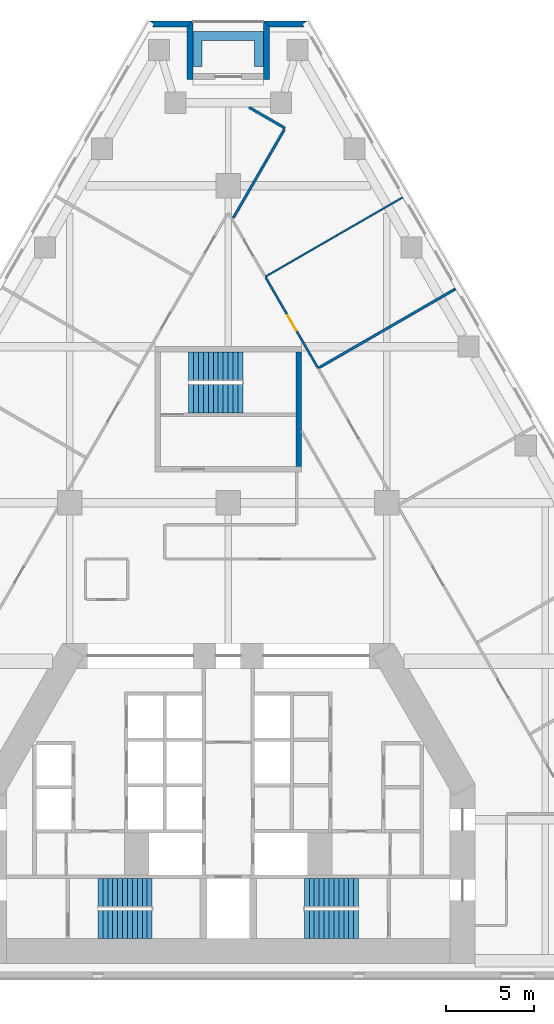
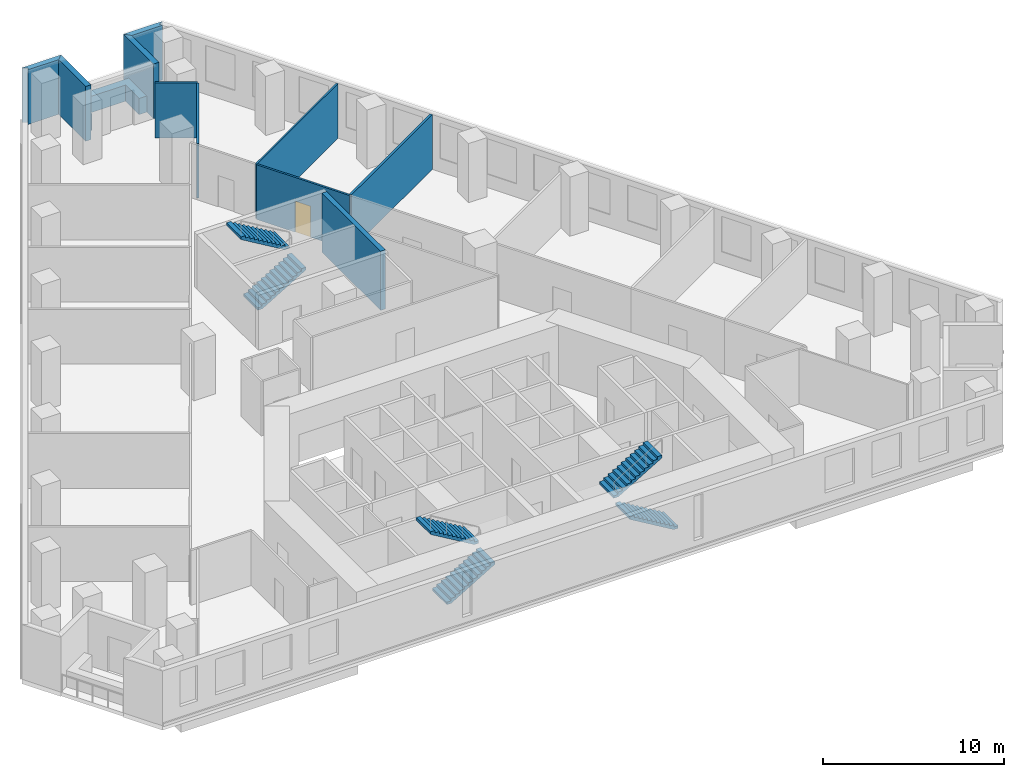
# One storey, part 8 of 9: 11 walls, 6 stair flights, 1 door, 1 opening, 3 elements without a shape of their own.
"""IFC4 building model written with IfcOpenShell, lengths in metres."""

from ifc_helpers import new_model, si_unit, direction, frame, frame_2d, origin, place, context, subcontext, project, spatial, polyline, rectangle, outline, extrude, material, layer, layer_set, type_object, element, fill, aggregate, save


model = new_model("IFC4")

# Units and contexts
model_context = context("Model", 3, precision=1e-05, world=origin(), true_north=direction((0.0, 1.0)))
body_context = subcontext(model_context, "Body", "Model", "MODEL_VIEW")
ifc_project = project(units=[si_unit("LENGTHUNIT", "METRE"), si_unit("AREAUNIT", "SQUARE_METRE"), si_unit("VOLUMEUNIT", "CUBIC_METRE"), si_unit("PLANEANGLEUNIT", "RADIAN"), si_unit("MASSUNIT", "GRAM", prefix="KILO")], contexts=[model_context])

# Site, building, storey
site_placement = place(None, origin())
site = spatial("IfcSite", under=ifc_project, at=site_placement, CompositionType="ELEMENT")
building_placement = place(site_placement, origin())
building = spatial("IfcBuilding", under=site, at=building_placement, Name="Fogline Exchange Tower", CompositionType="ELEMENT")
storey_placement = place(building_placement, frame((0.0, 0.0, 72.89990234375)))
storey = spatial("IfcBuildingStorey", under=building, at=storey_placement, Name="L15", CompositionType="ELEMENT", Elevation=72.89990234375)

# Walls
ifc_material_1 = material(Name="Concrete C40", Category="concrete")
ifc_layer_1 = layer(ifc_material_1, 0.300048828125)
ifc_layer_set_1 = layer_set([ifc_layer_1], Name="CW30")
wall_type_1 = type_object("IfcWallType", Name="CW30", PredefinedType="SOLIDWALL", material=ifc_layer_set_1)
wall_1_placement = place(storey_placement, frame((4.0, 29.056884765625, -0.2998046875), z_axis=(0.0, 0.0, 1.0), x_axis=(0.0, 1.0, 0.0)))
element("IfcWall", 1, at=wall_1_placement, inside=storey, type_object=wall_type_1, Name="Stair enclosure wall ST3", PredefinedType="SOLIDWALL", context=body_context, shape_type="SweptSolid", body=[
    extrude(rectangle(XDim=6.5, YDim=0.300048828125, at=frame_2d((3.25, 0.0))), origin(), (0.0, 0.0, 1.0), 4.0),
])
ifc_material_2 = material(Name="Brick masonry", Category="masonry")
ifc_layer_2 = layer(ifc_material_2, 0.340087890625)
ifc_layer_set_2 = layer_set([ifc_layer_2], Name="FW1")
wall_type_2 = type_object("IfcWallType", Name="FW1", PredefinedType="SOLIDWALL", material=ifc_layer_set_2)
wall_2_placement = place(storey_placement, origin())
element("IfcWall", 2, at=wall_2_placement, inside=storey, type_object=wall_type_2, Name="Brick wall L15 N-c1", PredefinedType="SOLIDWALL", context=body_context, shape_type="SweptSolid", body=[
    extrude(outline(polyline([(1.9990234375, 54.357177734375), (4.5009765625, 54.357177734375), (4.501220703125, 54.356689453125), (4.206298828125, 54.1865234375), (4.3046875, 54.01611328125), (2.33984375, 54.01611328125), (1.998779296875, 54.35693359375), (1.9990234375, 54.357177734375)])), origin(), (0.0, 0.0, 1.0), 3.7001953125),
])
wall_3_placement = place(storey_placement, origin())
element("IfcWall", 3, at=wall_3_placement, inside=storey, type_object=wall_type_2, Name="Brick wall L15 N-s1", PredefinedType="SOLIDWALL", context=body_context, shape_type="SweptSolid", body=[
    extrude(outline(polyline([(2.340576171875, 51.01611328125), (1.99951171875, 51.01611328125), (1.99951171875, 54.357666015625), (1.999755859375, 54.35791015625), (2.340576171875, 54.016845703125), (2.340576171875, 51.01611328125)])), origin(), (0.0, 0.0, 1.0), 3.7001953125),
])
wall_4_placement = place(storey_placement, origin())
element("IfcWall", 4, at=wall_4_placement, inside=storey, type_object=wall_type_2, Name="Brick wall L15 N-s2", PredefinedType="SOLIDWALL", context=body_context, shape_type="SweptSolid", body=[
    extrude(outline(polyline([(-1.99951171875, 54.357666015625), (-1.99951171875, 51.01611328125), (-2.340576171875, 51.01611328125), (-2.340576171875, 54.016845703125), (-1.999755859375, 54.35791015625), (-1.99951171875, 54.357666015625)])), origin(), (0.0, 0.0, 1.0), 3.7001953125),
])
wall_5_placement = place(storey_placement, origin())
element("IfcWall", 5, at=wall_5_placement, inside=storey, type_object=wall_type_2, Name="Brick wall L15 N-c2", PredefinedType="SOLIDWALL", context=body_context, shape_type="SweptSolid", body=[
    extrude(outline(polyline([(-4.3046875, 54.01611328125), (-4.206298828125, 54.1865234375), (-4.501220703125, 54.356689453125), (-4.5009765625, 54.357177734375), (-1.9990234375, 54.357177734375), (-1.998779296875, 54.35693359375), (-2.33984375, 54.01611328125), (-4.3046875, 54.01611328125)])), origin(), (0.0, 0.0, 1.0), 3.7001953125),
])
ifc_material_3 = material(Name="Concrete C30", Category="concrete")
ifc_layer_3 = layer(ifc_material_3, 0.199951171875)
ifc_layer_set_3 = layer_set([ifc_layer_3], Name="PL1")
wall_type_3 = type_object("IfcWallType", Name="PL1", PredefinedType="USERDEFINED", material=ifc_layer_set_3)
wall_6_placement = place(storey_placement, origin())
element("IfcWall", 6, at=wall_6_placement, inside=storey, type_object=wall_type_3, Name="PLANTER balcony L15 N", ObjectType="PLANTER", PredefinedType="USERDEFINED", context=body_context, shape_type="SweptSolid", body=[
    extrude(outline(polyline([(-1.5, 53.756591796875), (-2.0, 53.756591796875), (-2.0, 53.256591796875), (-2.0, 51.756591796875), (-1.5, 51.756591796875), (-1.5, 53.256591796875), (1.5, 53.256591796875), (1.5, 51.756591796875), (2.0, 51.756591796875), (2.0, 53.256591796875), (2.0, 53.756591796875), (1.5, 53.756591796875), (-1.5, 53.756591796875)])), origin(), (0.0, 0.0, 1.0), 1.10009765625),
])
ifc_material_4 = material(Name="Plasterboard partition, 2 layers each side on steel studs", Category="steel")
ifc_layer_4 = layer(ifc_material_4, 0.10009765625)
ifc_layer_set_4 = layer_set([ifc_layer_4], Name="PW1")
wall_type_4 = type_object("IfcWallType", Name="PW1", PredefinedType="PARTITIONING", material=ifc_layer_set_4)
wall_7_placement = place(storey_placement, frame((2.102294921875, 39.829833984375, 0.0), z_axis=(0.0, 0.0, 1.0), x_axis=(0.866024315419, 0.5000018851, 0.0)))
element("IfcWall", 7, at=wall_7_placement, inside=storey, type_object=wall_type_4, Name="wall-L15-W037", PredefinedType="PARTITIONING", context=body_context, shape_type="SweptSolid", body=[
    extrude(rectangle(XDim=9.0, YDim=0.10009765625, at=frame_2d((4.5, 0.0))), origin(), (0.0, 0.0, 1.0), 3.7001953125),
])

# Wall, opening, door
ifc_material_5 = material(Name="Plasterboard corridor partition with mineral wool, 2 layers each side")
ifc_layer_5 = layer(ifc_material_5, 0.125)
ifc_layer_set_5 = layer_set([ifc_layer_5], Name="PW2")
wall_type_5 = type_object("IfcWallType", Name="PW2", PredefinedType="PARTITIONING", material=ifc_layer_set_5)
wall_8_placement = place(storey_placement, frame((2.12744140625, 39.7861328125, 0.0), z_axis=(0.0, 0.0, 1.0), x_axis=(0.500000694566, -0.866025002776, 0.0)))
wall_8 = element("IfcWall", 8, at=wall_8_placement, inside=storey, type_object=wall_type_5, Name="wall-L15-W012", PredefinedType="PARTITIONING", context=body_context, shape_type="SweptSolid", body=[
    extrude(rectangle(XDim=5.94970703125, YDim=0.125, at=frame_2d((2.974853515625, 0.0))), origin(), (0.0, 0.0, 1.0), 3.7001953125),
])
opening_placement = place(wall_8_placement, frame((2.474853515625, 0.0, 0.0)))
opening = element("IfcOpeningElement", 9, at=opening_placement, cuts=wall_8, Name="Opening T04-D007", PredefinedType="OPENING", context=body_context, shape_type="SweptSolid", body=[
    extrude(rectangle(XDim=1.0, YDim=2.10009765625, at=frame_2d((0.5, 1.050048828125))), frame((0.0, 0.072509765625, 0.0), z_axis=(0.0, -1.0, 0.0), x_axis=(1.0, 0.0, 0.0)), (0.0, 0.0, 1.0), 0.14501953125),
])
ifc_material_6 = material(Name="Fire-rated timber door leaf with steel frame", Category="steel")
door_type = type_object("IfcDoorType", Name="D3", OperationType="SINGLE_SWING_LEFT", PredefinedType="DOOR", material=ifc_material_6)
door_placement = place(opening_placement, origin())
door = element("IfcDoor", 10, at=door_placement, inside=storey, type_object=door_type, Name="door-L15-D007", OperationType="SINGLE_SWING_LEFT", OverallHeight=2.10009765625, OverallWidth=1.0, PredefinedType="DOOR", context=body_context, shape_type="SweptSolid", body=[
    extrude(rectangle(XDim=1.0, YDim=2.10009765625, at=frame_2d((0.5, 1.050048828125))), frame((0.0, 0.02490234375, 0.0), z_axis=(0.0, -1.0, 0.0), x_axis=(1.0, 0.0, 0.0)), (0.0, 0.0, 1.0), 0.050048828125),
])
fill(opening, door)

# Walls
ifc_material_7 = material(Name="Plasterboard demising partition with mineral wool and acoustic board")
ifc_layer_6 = layer(ifc_material_7, 0.14990234375)
ifc_layer_set_6 = layer_set([ifc_layer_6], Name="PW3")
wall_type_6 = type_object("IfcWallType", Name="PW3", PredefinedType="PARTITIONING", material=ifc_layer_set_6)
wall_9_placement = place(storey_placement, frame((5.15625, 34.664794921875, 0.0), z_axis=(0.0, 0.0, 1.0), x_axis=(0.866029105215, 0.49999358888, 0.0)))
element("IfcWall", 11, at=wall_9_placement, inside=storey, type_object=wall_type_6, Name="wall-L15-W036", PredefinedType="PARTITIONING", context=body_context, shape_type="SweptSolid", body=[
    extrude(rectangle(XDim=8.9375, YDim=0.14990234375, at=frame_2d((4.46875, 0.0))), origin(), (0.0, 0.0, 1.0), 3.7001953125),
])
wall_10_placement = place(storey_placement, frame((0.288818359375, 43.17138671875, 0.0), z_axis=(0.0, 0.0, 1.0), x_axis=(0.500006411147, 0.866021702275, 0.0)))
element("IfcWall", 12, at=wall_10_placement, inside=storey, type_object=wall_type_6, Name="wall-L15-W038", PredefinedType="PARTITIONING", context=body_context, shape_type="SweptSolid", body=[
    extrude(rectangle(XDim=5.80517578125, YDim=0.14990234375, at=frame_2d((2.902587890625, 0.0))), origin(), (0.0, 0.0, 1.0), 3.7001953125),
])
wall_11_placement = place(storey_placement, frame((3.22900390625, 48.263671875, 0.0), z_axis=(0.0, 0.0, 1.0), x_axis=(-0.865991875323, 0.500058068503, 0.0)))
element("IfcWall", 13, at=wall_11_placement, inside=storey, type_object=wall_type_6, Name="wall-L15-W039", PredefinedType="PARTITIONING", context=body_context, shape_type="SweptSolid", body=[
    extrude(rectangle(XDim=2.371826171875, YDim=0.14990234375, at=frame_2d((1.18603515625, 0.0))), origin(), (0.0, 0.0, 1.0), 3.7001953125),
])

# Stair, stair flights
stair_type = type_object("IfcStairType", Name="STR24-1667", PredefinedType="HALF_TURN_STAIR", material=ifc_material_1)
stair_1_placement = place(storey_placement, origin())
stair_1 = element("IfcStair", 14, at=stair_1_placement, inside=storey, type_object=stair_type, Name="Stair ST1", PredefinedType="HALF_TURN_STAIR")
stair_flight_type = type_object("IfcStairFlightType", Name="SF12-1667", PredefinedType="STRAIGHT", material=ifc_material_1)
stair_flight_1_placement = place(storey_placement, frame((-7.39990234375, 3.050048828125, 0.0), z_axis=(0.0, 0.0, 1.0), x_axis=(1.0, 0.0, 0.0)))
stair_flight_1 = element("IfcStairFlight", 15, at=stair_flight_1_placement, type_object=stair_flight_type, Name="ST1 flight 1", NumberOfRisers=12, NumberOfTreads=11, PredefinedType="STRAIGHT", RiserHeight=0.166666667, TreadLength=0.28, context=body_context, shape_type="SweptSolid", body=[
    extrude(outline(polyline([(0.0, 0.0), (0.0, 0.166748046875), (0.280029296875, 0.166748046875), (0.280029296875, 0.333251953125), (0.56005859375, 0.333251953125), (0.56005859375, 0.5), (0.840087890625, 0.5), (0.840087890625, 0.666748046875), (1.1201171875, 0.666748046875), (1.1201171875, 0.833251953125), (1.39990234375, 0.833251953125), (1.39990234375, 1.0), (1.679931640625, 1.0), (1.679931640625, 1.166748046875), (1.9599609375, 1.166748046875), (1.9599609375, 1.333251953125), (2.239990234375, 1.333251953125), (2.239990234375, 1.5), (2.52001953125, 1.5), (2.52001953125, 1.666748046875), (2.800048828125, 1.666748046875), (2.800048828125, 1.833251953125), (3.080078125, 1.833251953125), (3.080078125, 2.0), (3.080078125, 1.658935546875), (0.29296875, 0.0), (0.0, 0.0)])), frame((0.0, 0.800048828125, 0.0), z_axis=(0.0, -1.0, 0.0), x_axis=(1.0, 0.0, 0.0)), (0.0, 0.0, 1.0), 1.60009765625),
])
stair_flight_2_placement = place(storey_placement, frame((-4.320068359375, 4.85009765625, 2.0), z_axis=(0.0, 0.0, 1.0), x_axis=(-1.0, 0.0, 0.0)))
stair_flight_2 = element("IfcStairFlight", 16, at=stair_flight_2_placement, type_object=stair_flight_type, Name="ST1 flight 2", NumberOfRisers=12, NumberOfTreads=11, PredefinedType="STRAIGHT", RiserHeight=0.166666667, TreadLength=0.28, context=body_context, shape_type="SweptSolid", body=[
    extrude(outline(polyline([(0.0, 0.0), (0.0, 0.166748046875), (0.280029296875, 0.166748046875), (0.280029296875, 0.333251953125), (0.56005859375, 0.333251953125), (0.56005859375, 0.5), (0.840087890625, 0.5), (0.840087890625, 0.666748046875), (1.1201171875, 0.666748046875), (1.1201171875, 0.833251953125), (1.39990234375, 0.833251953125), (1.39990234375, 1.0), (1.679931640625, 1.0), (1.679931640625, 1.166748046875), (1.9599609375, 1.166748046875), (1.9599609375, 1.333251953125), (2.239990234375, 1.333251953125), (2.239990234375, 1.5), (2.52001953125, 1.5), (2.52001953125, 1.666748046875), (2.800048828125, 1.666748046875), (2.800048828125, 1.833251953125), (3.080078125, 1.833251953125), (3.080078125, 2.0), (3.080078125, 1.658935546875), (0.29296875, 0.0), (0.0, 0.0)])), frame((0.0, 0.800048828125, 0.0), z_axis=(0.0, -1.0, 0.0), x_axis=(1.0, 0.0, 0.0)), (0.0, 0.0, 1.0), 1.60009765625),
])
aggregate(stair_1, [stair_flight_1, stair_flight_2])

stair_2_placement = place(storey_placement, origin())
stair_2 = element("IfcStair", 17, at=stair_2_placement, inside=storey, type_object=stair_type, Name="Stair ST2", PredefinedType="HALF_TURN_STAIR")
stair_flight_3_placement = place(storey_placement, frame((7.39990234375, 3.050048828125, 0.0), z_axis=(0.0, 0.0, 1.0), x_axis=(-1.0, 0.0, 0.0)))
stair_flight_3 = element("IfcStairFlight", 18, at=stair_flight_3_placement, type_object=stair_flight_type, Name="ST2 flight 1", NumberOfRisers=12, NumberOfTreads=11, PredefinedType="STRAIGHT", RiserHeight=0.166666667, TreadLength=0.28, context=body_context, shape_type="SweptSolid", body=[
    extrude(outline(polyline([(0.0, 0.0), (0.0, 0.166748046875), (0.280029296875, 0.166748046875), (0.280029296875, 0.333251953125), (0.56005859375, 0.333251953125), (0.56005859375, 0.5), (0.840087890625, 0.5), (0.840087890625, 0.666748046875), (1.1201171875, 0.666748046875), (1.1201171875, 0.833251953125), (1.39990234375, 0.833251953125), (1.39990234375, 1.0), (1.679931640625, 1.0), (1.679931640625, 1.166748046875), (1.9599609375, 1.166748046875), (1.9599609375, 1.333251953125), (2.239990234375, 1.333251953125), (2.239990234375, 1.5), (2.52001953125, 1.5), (2.52001953125, 1.666748046875), (2.800048828125, 1.666748046875), (2.800048828125, 1.833251953125), (3.080078125, 1.833251953125), (3.080078125, 2.0), (3.080078125, 1.658935546875), (0.29296875, 0.0), (0.0, 0.0)])), frame((0.0, 0.800048828125, 0.0), z_axis=(0.0, -1.0, 0.0), x_axis=(1.0, 0.0, 0.0)), (0.0, 0.0, 1.0), 1.60009765625),
])
stair_flight_4_placement = place(storey_placement, frame((4.320068359375, 4.85009765625, 2.0), z_axis=(0.0, 0.0, 1.0), x_axis=(1.0, 0.0, 0.0)))
stair_flight_4 = element("IfcStairFlight", 19, at=stair_flight_4_placement, type_object=stair_flight_type, Name="ST2 flight 2", NumberOfRisers=12, NumberOfTreads=11, PredefinedType="STRAIGHT", RiserHeight=0.166666667, TreadLength=0.28, context=body_context, shape_type="SweptSolid", body=[
    extrude(outline(polyline([(0.0, 0.0), (0.0, 0.166748046875), (0.280029296875, 0.166748046875), (0.280029296875, 0.333251953125), (0.56005859375, 0.333251953125), (0.56005859375, 0.5), (0.840087890625, 0.5), (0.840087890625, 0.666748046875), (1.1201171875, 0.666748046875), (1.1201171875, 0.833251953125), (1.39990234375, 0.833251953125), (1.39990234375, 1.0), (1.679931640625, 1.0), (1.679931640625, 1.166748046875), (1.9599609375, 1.166748046875), (1.9599609375, 1.333251953125), (2.239990234375, 1.333251953125), (2.239990234375, 1.5), (2.52001953125, 1.5), (2.52001953125, 1.666748046875), (2.800048828125, 1.666748046875), (2.800048828125, 1.833251953125), (3.080078125, 1.833251953125), (3.080078125, 2.0), (3.080078125, 1.658935546875), (0.29296875, 0.0), (0.0, 0.0)])), frame((0.0, 0.800048828125, 0.0), z_axis=(0.0, -1.0, 0.0), x_axis=(1.0, 0.0, 0.0)), (0.0, 0.0, 1.0), 1.60009765625),
])
aggregate(stair_2, [stair_flight_3, stair_flight_4])

stair_3_placement = place(storey_placement, origin())
stair_3 = element("IfcStair", 20, at=stair_3_placement, inside=storey, type_object=stair_type, Name="Stair ST3", PredefinedType="HALF_TURN_STAIR")
stair_flight_5_placement = place(storey_placement, frame((-2.25, 32.906982421875, 0.0), z_axis=(0.0, 0.0, 1.0), x_axis=(1.0, 0.0, 0.0)))
stair_flight_5 = element("IfcStairFlight", 21, at=stair_flight_5_placement, type_object=stair_flight_type, Name="ST3 flight 1", NumberOfRisers=12, NumberOfTreads=11, PredefinedType="STRAIGHT", RiserHeight=0.166666667, TreadLength=0.28, context=body_context, shape_type="SweptSolid", body=[
    extrude(outline(polyline([(0.0, 0.0), (0.0, 0.166748046875), (0.280029296875, 0.166748046875), (0.280029296875, 0.333251953125), (0.56005859375, 0.333251953125), (0.56005859375, 0.5), (0.840087890625, 0.5), (0.840087890625, 0.666748046875), (1.1201171875, 0.666748046875), (1.1201171875, 0.833251953125), (1.39990234375, 0.833251953125), (1.39990234375, 1.0), (1.679931640625, 1.0), (1.679931640625, 1.166748046875), (1.9599609375, 1.166748046875), (1.9599609375, 1.333251953125), (2.239990234375, 1.333251953125), (2.239990234375, 1.5), (2.52001953125, 1.5), (2.52001953125, 1.666748046875), (2.800048828125, 1.666748046875), (2.800048828125, 1.833251953125), (3.080078125, 1.833251953125), (3.080078125, 2.0), (3.080078125, 1.658935546875), (0.29296875, 0.0), (0.0, 0.0)])), frame((0.0, 0.800048828125, 0.0), z_axis=(0.0, -1.0, 0.0), x_axis=(1.0, 0.0, 0.0)), (0.0, 0.0, 1.0), 1.60009765625),
])
stair_flight_6_placement = place(storey_placement, frame((0.830078125, 34.757080078125, 2.0), z_axis=(0.0, 0.0, 1.0), x_axis=(-1.0, 0.0, 0.0)))
stair_flight_6 = element("IfcStairFlight", 22, at=stair_flight_6_placement, type_object=stair_flight_type, Name="ST3 flight 2", NumberOfRisers=12, NumberOfTreads=11, PredefinedType="STRAIGHT", RiserHeight=0.166666667, TreadLength=0.28, context=body_context, shape_type="SweptSolid", body=[
    extrude(outline(polyline([(0.0, 0.0), (0.0, 0.166748046875), (0.280029296875, 0.166748046875), (0.280029296875, 0.333251953125), (0.56005859375, 0.333251953125), (0.56005859375, 0.5), (0.840087890625, 0.5), (0.840087890625, 0.666748046875), (1.1201171875, 0.666748046875), (1.1201171875, 0.833251953125), (1.39990234375, 0.833251953125), (1.39990234375, 1.0), (1.679931640625, 1.0), (1.679931640625, 1.166748046875), (1.9599609375, 1.166748046875), (1.9599609375, 1.333251953125), (2.239990234375, 1.333251953125), (2.239990234375, 1.5), (2.52001953125, 1.5), (2.52001953125, 1.666748046875), (2.800048828125, 1.666748046875), (2.800048828125, 1.833251953125), (3.080078125, 1.833251953125), (3.080078125, 2.0), (3.080078125, 1.658935546875), (0.29296875, 0.0), (0.0, 0.0)])), frame((0.0, 0.800048828125, 0.0), z_axis=(0.0, -1.0, 0.0), x_axis=(1.0, 0.0, 0.0)), (0.0, 0.0, 1.0), 1.60009765625),
])
aggregate(stair_3, [stair_flight_5, stair_flight_6])

save(model, "model.ifc")
